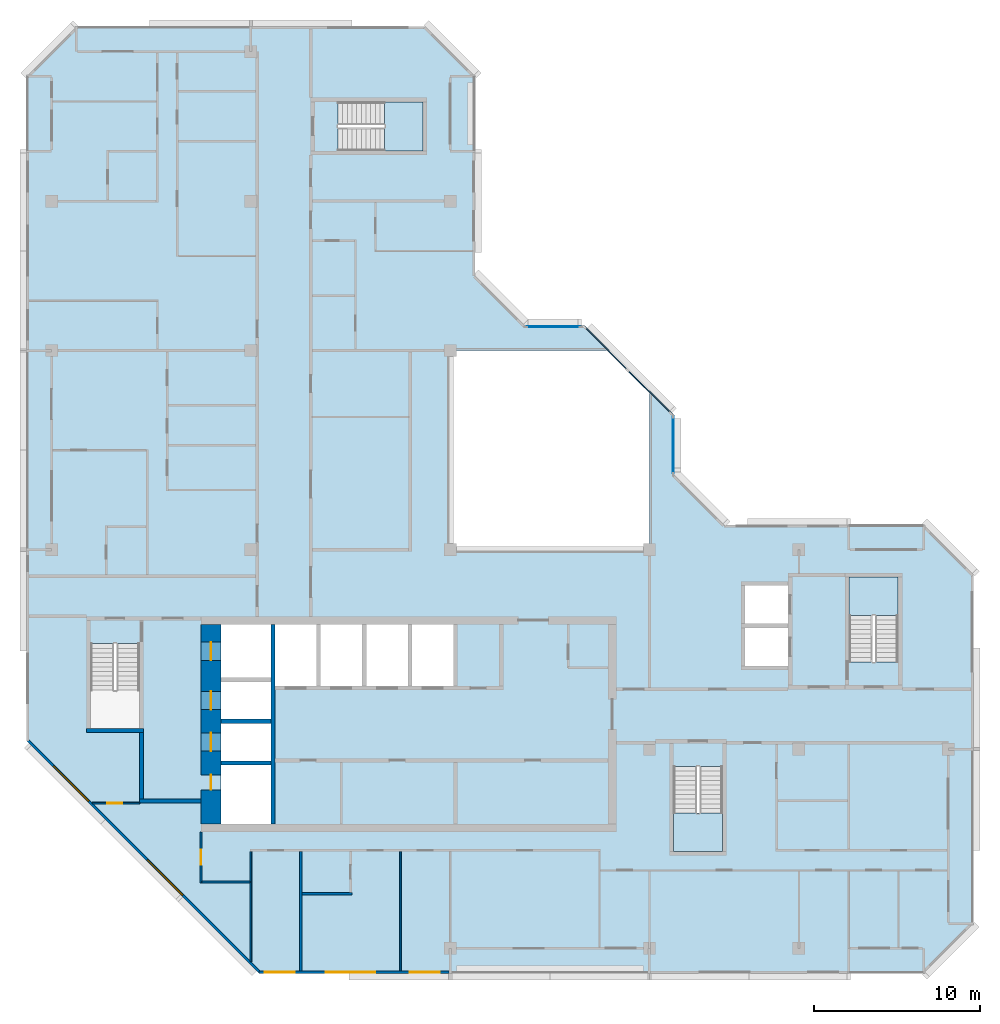
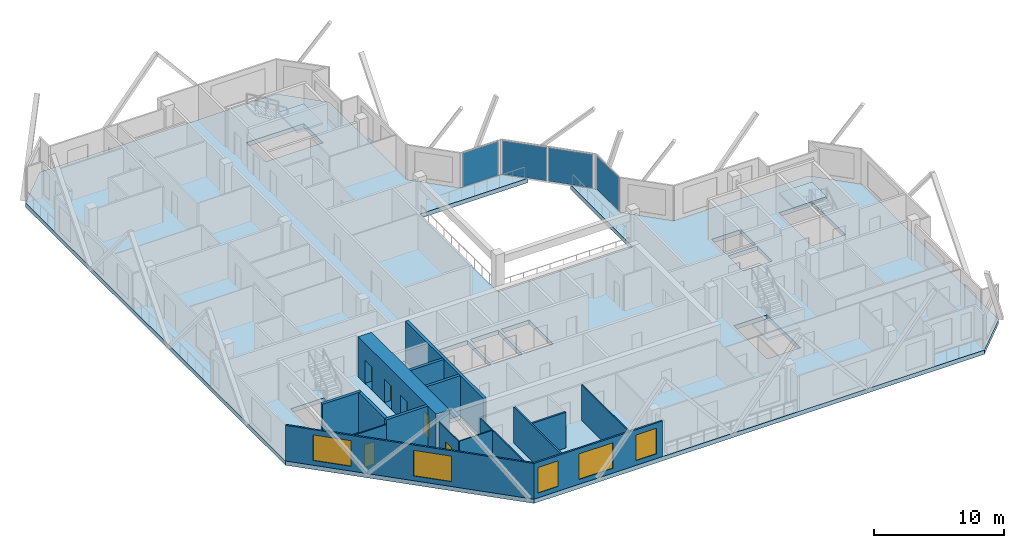
# One storey, part 3 of 12: 16 walls, 6 doors, 5 windows, 4 plates, 4 slabs, 11 openings, 6 elements without a shape of their own.
"""IFC4 building model written with IfcOpenShell, lengths in metres."""

from ifc_helpers import new_model, si_unit, direction, frame, frame_2d, origin, origin_2d, place, context, subcontext, project, spatial, polyline, rectangle, outline, extrude, material, layer, layer_set, type_object, element, fill, aggregate, save


model = new_model("IFC4")

# Units and contexts
model_context = context("Model", 3, precision=1e-05, world=origin(), true_north=direction((0.0, 1.0)))
body_context = subcontext(model_context, "Body", "Model", "MODEL_VIEW")
ifc_project = project(units=[si_unit("LENGTHUNIT", "METRE"), si_unit("AREAUNIT", "SQUARE_METRE"), si_unit("VOLUMEUNIT", "CUBIC_METRE"), si_unit("PLANEANGLEUNIT", "RADIAN"), si_unit("MASSUNIT", "GRAM", prefix="KILO")], contexts=[model_context])

# Site, building, storey
site_placement = place(None, origin())
site = spatial("IfcSite", under=ifc_project, at=site_placement, CompositionType="ELEMENT")
building_placement = place(site_placement, origin())
building = spatial("IfcBuilding", under=site, at=building_placement, Name="Chenar Terraces", CompositionType="ELEMENT")
storey_placement = place(building_placement, frame((0.0, 0.0, 368.89990234375)))
storey = spatial("IfcBuildingStorey", under=building, at=storey_placement, Name="L86", CompositionType="ELEMENT", Elevation=368.89990234375)

# Curtain wall, plate
ifc_material_1 = material(Name="Aluminium framed glazing", Category="aluminium")
ifc_layer_1 = layer(ifc_material_1, 0.14990234375)
ifc_layer_set_1 = layer_set([ifc_layer_1], Name="Aluminium framed glazing")
curtain_wall_type = type_object("IfcCurtainWallType", Name="Atrium upper-zone curtain wall", PredefinedType="NOTDEFINED", material=ifc_layer_set_1)
placement_1 = place(storey_placement, origin())
curtain_wall_1 = element("IfcCurtainWall", 1, at=placement_1, inside=storey, type_object=curtain_wall_type, Name="Atrium upper-zone curtain wall", PredefinedType="NOTDEFINED")
ifc_material_2 = material(Name="Low emissivity laminated glass, solar control coating", Category="glass")
ifc_layer_2 = layer(ifc_material_2, 0.050048828125)
ifc_layer_set_2 = layer_set([ifc_layer_2], Name="Low emissivity laminated glass, solar control coating")
plate_type = type_object("IfcPlateType", Name="Atrium upper-zone glazing panel 50", PredefinedType="CURTAIN_PANEL", material=ifc_layer_set_2)
plate_1_placement = place(storey_placement, frame((37.425048828125, 30.300048828125, 0.10009765625), z_axis=(0.0, 0.0, 1.0), x_axis=(0.0, 1.0, 0.0)))
plate_1 = element("IfcPlate", 2, at=plate_1_placement, type_object=plate_type, Name="CW8-1 panel 1.1", PredefinedType="CURTAIN_PANEL", context=body_context, shape_type="SweptSolid", body=[
    extrude(rectangle(XDim=3.39990234375, YDim=0.050048828125, at=origin_2d()), origin(), (0.0, 0.0, 1.0), 3.14990234375),
])
aggregate(curtain_wall_1, [plate_1])

# Curtain wall, plates
curtain_wall_2 = element("IfcCurtainWall", 3, at=placement_1, inside=storey, type_object=curtain_wall_type, Name="Atrium upper-zone curtain wall", PredefinedType="NOTDEFINED")
plate_2_placement = place(storey_placement, frame((35.97314453125, 33.520751953125, 0.10009765625), z_axis=(0.0, 0.0, 1.0), x_axis=(-0.707106781187, 0.707106781187, 0.0)))
plate_2 = element("IfcPlate", 4, at=plate_2_placement, type_object=plate_type, Name="CW8-2 panel 1.1", PredefinedType="CURTAIN_PANEL", context=body_context, shape_type="SweptSolid", body=[
    extrude(rectangle(XDim=3.568359375, YDim=0.050048828125, at=origin_2d()), origin(), (0.0, 0.0, 1.0), 3.14990234375),
])
plate_3_placement = place(storey_placement, frame((33.379150390625, 36.11474609375, 0.10009765625), z_axis=(0.0, 0.0, 1.0), x_axis=(-0.707106781187, 0.707106781187, 0.0)))
plate_3 = element("IfcPlate", 5, at=plate_3_placement, type_object=plate_type, Name="CW8-2 panel 2.1", PredefinedType="CURTAIN_PANEL", context=body_context, shape_type="SweptSolid", body=[
    extrude(rectangle(XDim=3.568359375, YDim=0.050048828125, at=origin_2d()), origin(), (0.0, 0.0, 1.0), 3.14990234375),
])
aggregate(curtain_wall_2, [plate_2, plate_3])

# Curtain wall, plate
curtain_wall_3 = element("IfcCurtainWall", 6, at=placement_1, inside=storey, type_object=curtain_wall_type, Name="Atrium upper-zone curtain wall", PredefinedType="NOTDEFINED")
plate_4_placement = place(storey_placement, frame((30.199951171875, 37.425048828125, 0.10009765625), z_axis=(0.0, 0.0, 1.0), x_axis=(-1.0, 0.0, 0.0)))
plate_4 = element("IfcPlate", 7, at=plate_4_placement, type_object=plate_type, Name="CW8-3 panel 1.1", PredefinedType="CURTAIN_PANEL", context=body_context, shape_type="SweptSolid", body=[
    extrude(rectangle(XDim=3.199951171875, YDim=0.050048828125, at=origin_2d()), origin(), (0.0, 0.0, 1.0), 3.14990234375),
])
aggregate(curtain_wall_3, [plate_4])

# Stair, slab
ifc_material_3 = material(Name="Reinforced concrete C40/50", Category="concrete")
stair_type = type_object("IfcStairType", Name="Core stair 1400 half-turn", PredefinedType="HALF_TURN_STAIR", material=ifc_material_3)
stair_1 = element("IfcStair", 8, at=placement_1, inside=storey, type_object=stair_type, Name="L86 Stair 2", PredefinedType="HALF_TURN_STAIR")
ifc_material_4 = material(Name="Reinforced concrete C40/50", Category="concrete")
ifc_layer_3 = layer(ifc_material_4, 0.199951171875)
ifc_layer_set_3 = layer_set([ifc_layer_3], Name="Reinforced concrete C40/50")
slab_type_1 = type_object("IfcSlabType", Name="Core stair landing 200", PredefinedType="LANDING", material=ifc_layer_set_3)
placement_2 = place(storey_placement, frame((0.0, 0.0, 1.675048828125)))
slab_1 = element("IfcSlab", 9, at=placement_2, type_object=slab_type_1, Name="ST2 landing 1", PredefinedType="LANDING", context=body_context, shape_type="SweptSolid", body=[
    extrude(outline(polyline([(37.449951171875, 8.14990234375), (37.449951171875, 5.85009765625), (40.39990234375, 5.85009765625), (40.39990234375, 8.14990234375), (37.449951171875, 8.14990234375)])), origin(), (0.0, 0.0, 1.0), 0.199951171875),
])
aggregate(stair_1, [slab_1])

stair_2 = element("IfcStair", 10, at=placement_1, inside=storey, type_object=stair_type, Name="L86 Stair 3", PredefinedType="HALF_TURN_STAIR")
slab_2 = element("IfcSlab", 11, at=placement_2, type_object=slab_type_1, Name="ST3 landing 1", PredefinedType="LANDING", context=body_context, shape_type="SweptSolid", body=[
    extrude(outline(polyline([(50.97509765625, 20.050048828125), (50.97509765625, 22.35009765625), (48.02490234375, 22.35009765625), (48.02490234375, 20.050048828125), (50.97509765625, 20.050048828125)])), origin(), (0.0, 0.0, 1.0), 0.199951171875),
])
aggregate(stair_2, [slab_2])

stair_3 = element("IfcStair", 12, at=placement_1, inside=storey, type_object=stair_type, Name="L86 Stair 4", PredefinedType="HALF_TURN_STAIR")
slab_3 = element("IfcSlab", 13, at=placement_2, type_object=slab_type_1, Name="ST4 landing 1", PredefinedType="LANDING", context=body_context, shape_type="SweptSolid", body=[
    extrude(outline(polyline([(20.050048828125, 48.02490234375), (22.35009765625, 48.02490234375), (22.35009765625, 50.97509765625), (20.050048828125, 50.97509765625), (20.050048828125, 48.02490234375)])), origin(), (0.0, 0.0, 1.0), 0.199951171875),
])
aggregate(stair_3, [slab_3])

# Slab
ifc_material_5 = material(Name="Concrete C40/50", Category="concrete")
ifc_layer_4 = layer(ifc_material_5, 0.39990234375)
ifc_layer_set_4 = layer_set([ifc_layer_4], Name="Concrete C40/50")
slab_type_2 = type_object("IfcSlabType", Name="Floor slab 400 Concrete C40/50", PredefinedType="FLOOR", material=ifc_layer_set_4)
slab_4_placement = place(storey_placement, frame((0.0, 0.0, -0.39990234375)))
element("IfcSlab", 14, at=slab_4_placement, inside=storey, type_object=slab_type_2, Name="Floor slab L86", PredefinedType="FLOOR", context=body_context, shape_type="SweptSolid", body=[
    extrude(outline(polyline([(55.5, 22.5), (55.5, 1.5), (52.5, -1.5), (12.5, -1.5), (-1.5, 12.5), (-1.5, 52.5), (1.5, 55.5), (22.5, 55.5), (25.5, 52.5), (25.5, 40.5), (28.5, 37.5), (32.10009765625, 37.5), (33.60009765625, 36.0), (24.0, 36.0), (24.0, 24.0), (36.0, 24.0), (36.0, 33.60009765625), (37.5, 32.10009765625), (37.5, 28.5), (40.5, 25.5), (52.5, 25.5), (55.5, 22.5)]), holes=[polyline([(10.199951171875, 11.050048828125), (10.199951171875, 7.5), (13.199951171875, 7.5), (13.199951171875, 11.050048828125), (10.199951171875, 11.050048828125)]), polyline([(13.199951171875, 13.550048828125), (10.199951171875, 13.550048828125), (10.199951171875, 11.300048828125), (13.199951171875, 11.300048828125), (13.199951171875, 13.550048828125)]), polyline([(13.199951171875, 16.050048828125), (10.199951171875, 16.050048828125), (10.199951171875, 13.800048828125), (13.199951171875, 13.800048828125), (13.199951171875, 16.050048828125)]), polyline([(2.35009765625, 13.25), (5.300048828125, 13.25), (5.300048828125, 18.35009765625), (2.35009765625, 18.35009765625), (2.35009765625, 13.25)]), polyline([(15.949951171875, 19.5), (13.449951171875, 19.5), (13.449951171875, 15.800048828125), (15.949951171875, 15.800048828125), (15.949951171875, 19.5)]), polyline([(18.699951171875, 19.5), (16.199951171875, 19.5), (16.199951171875, 15.800048828125), (18.699951171875, 15.800048828125), (18.699951171875, 19.5)]), polyline([(13.199951171875, 19.5), (10.199951171875, 19.5), (10.199951171875, 16.300048828125), (13.199951171875, 16.300048828125), (13.199951171875, 19.5)]), polyline([(22.35009765625, 48.02490234375), (22.35009765625, 50.97509765625), (17.25, 50.97509765625), (17.25, 48.02490234375), (22.35009765625, 48.02490234375)]), polyline([(37.449951171875, 5.85009765625), (40.39990234375, 5.85009765625), (40.39990234375, 10.949951171875), (37.449951171875, 10.949951171875), (37.449951171875, 5.85009765625)]), polyline([(21.449951171875, 19.5), (18.949951171875, 19.5), (18.949951171875, 15.800048828125), (21.449951171875, 15.800048828125), (21.449951171875, 19.5)]), polyline([(24.199951171875, 19.5), (21.699951171875, 19.5), (21.699951171875, 15.800048828125), (24.199951171875, 15.800048828125), (24.199951171875, 19.5)]), polyline([(44.35009765625, 19.300048828125), (41.75, 19.300048828125), (41.75, 17.0), (44.35009765625, 17.0), (44.35009765625, 19.300048828125)]), polyline([(50.97509765625, 22.35009765625), (48.02490234375, 22.35009765625), (48.02490234375, 17.25), (50.97509765625, 17.25), (50.97509765625, 22.35009765625)]), polyline([(44.35009765625, 21.85009765625), (41.75, 21.85009765625), (41.75, 19.550048828125), (44.35009765625, 19.550048828125), (44.35009765625, 21.85009765625)])]), origin(), (0.0, 0.0, 1.0), 0.39990234375),
])

# Wall, openings, doors
ifc_material_6 = material(Name="Concrete C50/60", Category="concrete")
ifc_layer_5 = layer(ifc_material_6, 1.199951171875)
ifc_layer_set_5 = layer_set([ifc_layer_5], Name="Concrete C50/60")
wall_type_1 = type_object("IfcWallType", Name="Core wall 1200 Concrete C50/60", PredefinedType="SHEAR", material=ifc_layer_set_5)
wall_1_placement = place(storey_placement, frame((9.60009765625, 7.5, 0.0), z_axis=(0.0, 0.0, 1.0), x_axis=(0.0, 1.0, 0.0)))
wall_1 = element("IfcWall", 15, at=wall_1_placement, inside=storey, type_object=wall_type_1, Name="Core wall W L86", PredefinedType="SHEAR", context=body_context, shape_type="SweptSolid", body=[
    extrude(rectangle(XDim=12.0, YDim=1.199951171875, at=frame_2d((6.0, 0.0))), origin(), (0.0, 0.0, 1.0), 3.75),
])
opening_1_placement = place(wall_1_placement, frame((4.375, 0.0, 0.0)))
opening_1 = element("IfcOpeningElement", 16, at=opening_1_placement, cuts=wall_1, Name="Opening DL86-LD5", PredefinedType="OPENING", context=body_context, shape_type="SweptSolid", body=[
    extrude(rectangle(XDim=1.10009765625, YDim=2.199951171875, at=frame_2d((0.550048828125, 1.10009765625))), frame((0.0, 0.60986328125, 0.0), z_axis=(0.0, -1.0, 0.0), x_axis=(1.0, 0.0, 0.0)), (0.0, 0.0, 1.0), 1.219970703125),
])
opening_2_placement = place(wall_1_placement, frame((6.875, 0.0, 0.0)))
opening_2 = element("IfcOpeningElement", 17, at=opening_2_placement, cuts=wall_1, Name="Opening DL86-LD6", PredefinedType="OPENING", context=body_context, shape_type="SweptSolid", body=[
    extrude(rectangle(XDim=1.10009765625, YDim=2.199951171875, at=frame_2d((0.550048828125, 1.10009765625))), frame((0.0, 0.60986328125, 0.0), z_axis=(0.0, -1.0, 0.0), x_axis=(1.0, 0.0, 0.0)), (0.0, 0.0, 1.0), 1.219970703125),
])
opening_3_placement = place(wall_1_placement, frame((9.85009765625, 0.0, 0.0)))
opening_3 = element("IfcOpeningElement", 18, at=opening_3_placement, cuts=wall_1, Name="Opening DL86-LD7", PredefinedType="OPENING", context=body_context, shape_type="SweptSolid", body=[
    extrude(rectangle(XDim=1.10009765625, YDim=2.199951171875, at=frame_2d((0.550048828125, 1.10009765625))), frame((0.0, 0.60986328125, 0.0), z_axis=(0.0, -1.0, 0.0), x_axis=(1.0, 0.0, 0.0)), (0.0, 0.0, 1.0), 1.219970703125),
])
opening_4_placement = place(wall_1_placement, frame((2.050048828125, 0.0, 0.0)))
opening_4 = element("IfcOpeningElement", 19, at=opening_4_placement, cuts=wall_1, Name="Opening DL86-C4", PredefinedType="OPENING", context=body_context, shape_type="SweptSolid", body=[
    extrude(rectangle(XDim=0.89990234375, YDim=2.10009765625, at=frame_2d((0.449951171875, 1.050048828125))), frame((0.0, 0.60986328125, 0.0), z_axis=(0.0, -1.0, 0.0), x_axis=(1.0, 0.0, 0.0)), (0.0, 0.0, 1.0), 1.219970703125),
])
ifc_material_7 = material(Name="Stainless steel", Category="steel")
door_type_1 = type_object("IfcDoorType", Name="Lift landing door 1100 x 2200 sliding", OperationType="DOUBLE_DOOR_SLIDING", PredefinedType="DOOR", material=ifc_material_7)
door_1_placement = place(opening_1_placement, origin())
door_1 = element("IfcDoor", 20, at=door_1_placement, inside=storey, type_object=door_type_1, Name="Landing door S1", OperationType="DOUBLE_DOOR_SLIDING", OverallHeight=2.199951171875, OverallWidth=1.10009765625, PredefinedType="DOOR", context=body_context, shape_type="SweptSolid", body=[
    extrude(rectangle(XDim=1.10009765625, YDim=2.199951171875, at=frame_2d((0.550048828125, 1.10009765625))), frame((0.0, 0.02490234375, 0.0), z_axis=(0.0, -1.0, 0.0), x_axis=(1.0, 0.0, 0.0)), (0.0, 0.0, 1.0), 0.050048828125),
])
fill(opening_1, door_1)
door_2_placement = place(opening_2_placement, origin())
door_2 = element("IfcDoor", 21, at=door_2_placement, inside=storey, type_object=door_type_1, Name="Landing door F1", OperationType="DOUBLE_DOOR_SLIDING", OverallHeight=2.199951171875, OverallWidth=1.10009765625, PredefinedType="DOOR", context=body_context, shape_type="SweptSolid", body=[
    extrude(rectangle(XDim=1.10009765625, YDim=2.199951171875, at=frame_2d((0.550048828125, 1.10009765625))), frame((0.0, 0.02490234375, 0.0), z_axis=(0.0, -1.0, 0.0), x_axis=(1.0, 0.0, 0.0)), (0.0, 0.0, 1.0), 0.050048828125),
])
fill(opening_2, door_2)
door_3_placement = place(opening_3_placement, origin())
door_3 = element("IfcDoor", 22, at=door_3_placement, inside=storey, type_object=door_type_1, Name="Landing door F2", OperationType="DOUBLE_DOOR_SLIDING", OverallHeight=2.199951171875, OverallWidth=1.10009765625, PredefinedType="DOOR", context=body_context, shape_type="SweptSolid", body=[
    extrude(rectangle(XDim=1.10009765625, YDim=2.199951171875, at=frame_2d((0.550048828125, 1.10009765625))), frame((0.0, 0.02490234375, 0.0), z_axis=(0.0, -1.0, 0.0), x_axis=(1.0, 0.0, 0.0)), (0.0, 0.0, 1.0), 0.050048828125),
])
fill(opening_3, door_3)
ifc_material_8 = material(Name="Steel-framed fire-resisting door leaf", Category="steel")
door_type_2 = type_object("IfcDoorType", Name="Riser fire door FD60 900 x 2100", OperationType="SINGLE_SWING_LEFT", PredefinedType="DOOR", material=ifc_material_8)
door_4_placement = place(opening_4_placement, frame((0.89990234375, 0.0, 0.0), z_axis=(0.0, 0.0, 1.0), x_axis=(-1.0, 0.0, 0.0)))
door_4 = element("IfcDoor", 23, at=door_4_placement, inside=storey, type_object=door_type_2, Name="Riser door DL86-C4", OperationType="SINGLE_SWING_LEFT", OverallHeight=2.10009765625, OverallWidth=0.89990234375, PredefinedType="DOOR", context=body_context, shape_type="SweptSolid", body=[
    extrude(rectangle(XDim=0.89990234375, YDim=2.10009765625, at=frame_2d((0.449951171875, 1.050048828125))), frame((0.0, 0.02490234375, 0.0), z_axis=(0.0, -1.0, 0.0), x_axis=(1.0, 0.0, 0.0)), (0.0, 0.0, 1.0), 0.050048828125),
])
fill(opening_4, door_4)

# Walls
ifc_material_9 = material(Name="Concrete C50/60", Category="concrete")
ifc_layer_6 = layer(ifc_material_9, 0.25)
ifc_layer_set_6 = layer_set([ifc_layer_6], Name="Concrete C50/60")
wall_type_2 = type_object("IfcWallType", Name="Core wall 250 Concrete C50/60", PredefinedType="SHEAR", material=ifc_layer_set_6)
wall_2_placement = place(storey_placement, frame((13.324951171875, 7.5, 0.0), z_axis=(0.0, 0.0, 1.0), x_axis=(0.0, 1.0, 0.0)))
element("IfcWall", 24, at=wall_2_placement, inside=storey, type_object=wall_type_2, Name="Core wall WI L86", PredefinedType="SHEAR", context=body_context, shape_type="SweptSolid", body=[
    extrude(rectangle(XDim=12.0, YDim=0.25, at=frame_2d((6.0, 0.0))), origin(), (0.0, 0.0, 1.0), 3.75),
])
for number, where, z_axis, x_axis, name in (
    (25, (10.199951171875, 11.175048828125, 0.0), (0.0, 0.0, 1.0), (1.0, 0.0, 0.0), "Core wall HW0 L86"),
    (26, (10.199951171875, 13.675048828125, 0.0), (0.0, 0.0, 1.0), (1.0, 0.0, 0.0), "Core wall HW1 L86"),
):
    element("IfcWall", number, at=place(storey_placement, frame(where, z_axis=z_axis, x_axis=x_axis)), inside=storey, type_object=wall_type_2, Name=name, PredefinedType="SHEAR", context=body_context, shape_type="SweptSolid", body=[
        extrude(rectangle(XDim=3.0, YDim=0.25, at=frame_2d((1.5, 0.0))), origin(), (0.0, 0.0, 1.0), 3.75),
    ])
wall_3_placement = place(storey_placement, frame((2.10009765625, 13.125, 0.0), z_axis=(0.0, 0.0, 1.0), x_axis=(1.0, 0.0, 0.0)))
element("IfcWall", 27, at=wall_3_placement, inside=storey, type_object=wall_type_2, Name="Core wall ST1_S L86", PredefinedType="SHEAR", context=body_context, shape_type="SweptSolid", body=[
    extrude(rectangle(XDim=3.449951171875, YDim=0.25, at=frame_2d((1.72509765625, 0.0))), origin(), (0.0, 0.0, 1.0), 3.75),
])
wall_4_placement = place(storey_placement, frame((5.300048828125, 8.875, 0.0), z_axis=(0.0, 0.0, 1.0), x_axis=(1.0, 0.0, 0.0)))
element("IfcWall", 28, at=wall_4_placement, inside=storey, type_object=wall_type_2, Name="Core wall FFL_S L86", PredefinedType="SHEAR", context=body_context, shape_type="SweptSolid", body=[
    extrude(rectangle(XDim=3.699951171875, YDim=0.25, at=frame_2d((1.85009765625, 0.0))), origin(), (0.0, 0.0, 1.0), 3.75),
])
wall_5_placement = place(storey_placement, frame((5.425048828125, 9.0, 0.0), z_axis=(0.0, 0.0, 1.0), x_axis=(0.0, 1.0, 0.0)))
element("IfcWall", 29, at=wall_5_placement, inside=storey, type_object=wall_type_2, Name="Core wall FFL_W L86", PredefinedType="SHEAR", context=body_context, shape_type="SweptSolid", body=[
    extrude(rectangle(XDim=4.0, YDim=0.25, at=frame_2d((2.0, 0.0))), origin(), (0.0, 0.0, 1.0), 3.75),
])

# Wall, openings, windows
ifc_material_10 = material(Name="Aluminium framed glazing", Category="aluminium")
ifc_layer_7 = layer(ifc_material_10, 0.14990234375)
ifc_layer_set_7 = layer_set([ifc_layer_7], Name="Aluminium framed glazing")
wall_type_3 = type_object("IfcWallType", Name="Glazed flush facade wall 150", PredefinedType="SOLIDWALL", material=ifc_layer_set_7)
wall_6_placement = place(storey_placement, frame((12.5, -1.425048828125, 0.0), z_axis=(0.0, 0.0, 1.0), x_axis=(1.0, 0.0, 0.0)))
wall_6 = element("IfcWall", 30, at=wall_6_placement, inside=storey, type_object=wall_type_3, Name="Glazed flush facade wall", PredefinedType="SOLIDWALL", context=body_context, shape_type="SweptSolid", body=[
    extrude(rectangle(XDim=11.425048828125, YDim=0.14990234375, at=frame_2d((5.71240234375, 0.0))), origin(), (0.0, 0.0, 1.0), 3.35009765625),
])
opening_5_placement = place(wall_6_placement, frame((0.35009765625, 0.0, 0.449951171875)))
opening_5 = element("IfcOpeningElement", 31, at=opening_5_placement, cuts=wall_6, Name="Opening W180x240", PredefinedType="OPENING", context=body_context, shape_type="SweptSolid", body=[
    extrude(rectangle(XDim=1.800048828125, YDim=2.39990234375, at=frame_2d((0.89990234375, 1.199951171875))), frame((0.0, 0.0849609375, 0.0), z_axis=(0.0, -1.0, 0.0), x_axis=(1.0, 0.0, 0.0)), (0.0, 0.0, 1.0), 0.169921875),
])
opening_6_placement = place(wall_6_placement, frame((4.0, 0.0, 0.449951171875)))
opening_6 = element("IfcOpeningElement", 32, at=opening_6_placement, cuts=wall_6, Name="Opening W300x240", PredefinedType="OPENING", context=body_context, shape_type="SweptSolid", body=[
    extrude(rectangle(XDim=3.0, YDim=2.39990234375, at=frame_2d((1.5, 1.199951171875))), frame((0.0, 0.0849609375, 0.0), z_axis=(0.0, -1.0, 0.0), x_axis=(1.0, 0.0, 0.0)), (0.0, 0.0, 1.0), 0.169921875),
])
opening_7_placement = place(wall_6_placement, frame((9.0625, 0.0, 0.449951171875)))
opening_7 = element("IfcOpeningElement", 33, at=opening_7_placement, cuts=wall_6, Name="Opening W180x240", PredefinedType="OPENING", context=body_context, shape_type="SweptSolid", body=[
    extrude(rectangle(XDim=1.800048828125, YDim=2.39990234375, at=frame_2d((0.89990234375, 1.199951171875))), frame((0.0, 0.0849609375, 0.0), z_axis=(0.0, -1.0, 0.0), x_axis=(1.0, 0.0, 0.0)), (0.0, 0.0, 1.0), 0.169921875),
])
ifc_material_11 = material(Name="Low emissivity double glazing, aluminium frame", Category="aluminium")
window_type_1 = type_object("IfcWindowType", Name="Fixed light 1800 x 2400", PartitioningType="SINGLE_PANEL", PredefinedType="WINDOW", material=ifc_material_11)
window_1_placement = place(opening_5_placement, origin())
window_1 = element("IfcWindow", 34, at=window_1_placement, inside=storey, type_object=window_type_1, Name="Window", OverallHeight=2.39990234375, OverallWidth=1.800048828125, PartitioningType="SINGLE_PANEL", PredefinedType="WINDOW", context=body_context, shape_type="SweptSolid", body=[
    extrude(rectangle(XDim=1.800048828125, YDim=2.39990234375, at=frame_2d((0.89990234375, 1.199951171875))), frame((0.0, 0.030029296875, 0.0), z_axis=(0.0, -1.0, 0.0), x_axis=(1.0, 0.0, 0.0)), (0.0, 0.0, 1.0), 0.06005859375),
])
fill(opening_5, window_1)
window_2_placement = place(opening_7_placement, origin())
window_2 = element("IfcWindow", 35, at=window_2_placement, inside=storey, type_object=window_type_1, Name="Window", OverallHeight=2.39990234375, OverallWidth=1.800048828125, PartitioningType="SINGLE_PANEL", PredefinedType="WINDOW", context=body_context, shape_type="SweptSolid", body=[
    extrude(rectangle(XDim=1.800048828125, YDim=2.39990234375, at=frame_2d((0.89990234375, 1.199951171875))), frame((0.0, 0.030029296875, 0.0), z_axis=(0.0, -1.0, 0.0), x_axis=(1.0, 0.0, 0.0)), (0.0, 0.0, 1.0), 0.06005859375),
])
fill(opening_7, window_2)
ifc_material_12 = material(Name="Low emissivity double glazing, aluminium frame", Category="aluminium")
window_type_2 = type_object("IfcWindowType", Name="Fixed light 3000 x 2400", PartitioningType="SINGLE_PANEL", PredefinedType="WINDOW", material=ifc_material_12)
window_3_placement = place(opening_6_placement, origin())
window_3 = element("IfcWindow", 36, at=window_3_placement, inside=storey, type_object=window_type_2, Name="Window", OverallHeight=2.39990234375, OverallWidth=3.0, PartitioningType="SINGLE_PANEL", PredefinedType="WINDOW", context=body_context, shape_type="SweptSolid", body=[
    extrude(rectangle(XDim=3.0, YDim=2.39990234375, at=frame_2d((1.5, 1.199951171875))), frame((0.0, 0.030029296875, 0.0), z_axis=(0.0, -1.0, 0.0), x_axis=(1.0, 0.0, 0.0)), (0.0, 0.0, 1.0), 0.06005859375),
])
fill(opening_6, window_3)

# Wall, opening, door
ifc_material_13 = material(Name="Gypsum board on steel studs", Category="steel")
ifc_layer_8 = layer(ifc_material_13, 0.10009765625)
ifc_layer_set_8 = layer_set([ifc_layer_8], Name="Gypsum board on steel studs")
wall_type_4 = type_object("IfcWallType", Name="Gypsum partition 100", PredefinedType="PARTITIONING", material=ifc_layer_set_8)
wall_7_placement = place(storey_placement, frame((2.4609375, 8.75, 0.0), z_axis=(0.0, 0.0, 1.0), x_axis=(1.0, 0.0, 0.0)))
wall_7 = element("IfcWall", 37, at=wall_7_placement, inside=storey, type_object=wall_type_4, Name="Partition L86-008", PredefinedType="PARTITIONING", context=body_context, shape_type="SweptSolid", body=[
    extrude(rectangle(XDim=2.839111328125, YDim=0.10009765625, at=frame_2d((1.41943359375, 0.0))), origin(), (0.0, 0.0, 1.0), 3.35009765625),
])
opening_8_placement = place(wall_7_placement, frame((0.888916015625, 0.0, 0.0)))
opening_8 = element("IfcOpeningElement", 38, at=opening_8_placement, cuts=wall_7, Name="Opening DL86-29", PredefinedType="OPENING", context=body_context, shape_type="SweptSolid", body=[
    extrude(rectangle(XDim=0.89990234375, YDim=2.10009765625, at=frame_2d((0.449951171875, 1.050048828125))), frame((0.0, 0.06005859375, 0.0), z_axis=(0.0, -1.0, 0.0), x_axis=(1.0, 0.0, 0.0)), (0.0, 0.0, 1.0), 0.1201171875),
])
ifc_material_14 = material(Name="Veneered timber door leaf", Category="wood")
door_type_3 = type_object("IfcDoorType", Name="Door 900 x 2100", OperationType="SINGLE_SWING_LEFT", PredefinedType="DOOR", material=ifc_material_14)
door_5_placement = place(opening_8_placement, frame((0.89990234375, 0.0, 0.0), z_axis=(0.0, 0.0, 1.0), x_axis=(-1.0, 0.0, 0.0)))
door_5 = element("IfcDoor", 39, at=door_5_placement, inside=storey, type_object=door_type_3, Name="Door DL86-29", OperationType="SINGLE_SWING_RIGHT", OverallHeight=2.10009765625, OverallWidth=0.89990234375, PredefinedType="DOOR", context=body_context, shape_type="SweptSolid", body=[
    extrude(rectangle(XDim=0.89990234375, YDim=2.10009765625, at=frame_2d((0.449951171875, 1.050048828125))), frame((0.0, 0.02490234375, 0.0), z_axis=(0.0, -1.0, 0.0), x_axis=(1.0, 0.0, 0.0)), (0.0, 0.0, 1.0), 0.050048828125),
])
fill(opening_8, door_5)

wall_8_placement = place(storey_placement, frame((9.0, 3.949951171875, 0.0), z_axis=(0.0, 0.0, 1.0), x_axis=(0.0, 1.0, 0.0)))
wall_8 = element("IfcWall", 40, at=wall_8_placement, inside=storey, type_object=wall_type_4, Name="Partition L86-024", PredefinedType="PARTITIONING", context=body_context, shape_type="SweptSolid", body=[
    extrude(rectangle(XDim=3.050048828125, YDim=0.10009765625, at=frame_2d((1.52490234375, 0.0))), origin(), (0.0, 0.0, 1.0), 3.35009765625),
])
opening_9_placement = place(wall_8_placement, frame((1.10009765625, 0.0, 0.0)))
opening_9 = element("IfcOpeningElement", 41, at=opening_9_placement, cuts=wall_8, Name="Opening DL86-28", PredefinedType="OPENING", context=body_context, shape_type="SweptSolid", body=[
    extrude(rectangle(XDim=0.89990234375, YDim=2.10009765625, at=frame_2d((0.449951171875, 1.050048828125))), frame((0.0, 0.06005859375, 0.0), z_axis=(0.0, -1.0, 0.0), x_axis=(1.0, 0.0, 0.0)), (0.0, 0.0, 1.0), 0.1201171875),
])
door_6_placement = place(opening_9_placement, origin())
door_6 = element("IfcDoor", 42, at=door_6_placement, inside=storey, type_object=door_type_3, Name="Door DL86-28", OperationType="SINGLE_SWING_LEFT", OverallHeight=2.10009765625, OverallWidth=0.89990234375, PredefinedType="DOOR", context=body_context, shape_type="SweptSolid", body=[
    extrude(rectangle(XDim=0.89990234375, YDim=2.10009765625, at=frame_2d((0.449951171875, 1.050048828125))), frame((0.0, 0.02490234375, 0.0), z_axis=(0.0, -1.0, 0.0), x_axis=(1.0, 0.0, 0.0)), (0.0, 0.0, 1.0), 0.050048828125),
])
fill(opening_9, door_6)

# Walls
wall_9_placement = place(storey_placement, frame((9.050048828125, 4.0, 0.0), z_axis=(0.0, 0.0, 1.0), x_axis=(1.0, 0.0, 0.0)))
element("IfcWall", 43, at=wall_9_placement, inside=storey, type_object=wall_type_4, Name="Partition L86-025", PredefinedType="PARTITIONING", context=body_context, shape_type="SweptSolid", body=[
    extrude(rectangle(XDim=2.89990234375, YDim=0.10009765625, at=frame_2d((1.449951171875, 0.0))), origin(), (0.0, 0.0, 1.0), 3.35009765625),
])
wall_10_placement = place(storey_placement, frame((12.0, -0.787841796875, 0.0), z_axis=(0.0, 0.0, 1.0), x_axis=(0.0, 1.0, 0.0)))
element("IfcWall", 44, at=wall_10_placement, inside=storey, type_object=wall_type_4, Name="Partition L86-027", PredefinedType="PARTITIONING", context=body_context, shape_type="SweptSolid", body=[
    extrude(rectangle(XDim=6.61279296875, YDim=0.10009765625, at=frame_2d((3.306396484375, 0.0))), origin(), (0.0, 0.0, 1.0), 3.35009765625),
])
wall_11_placement = place(storey_placement, frame((21.0, -1.35107421875, 0.0), z_axis=(0.0, 0.0, 1.0), x_axis=(0.0, 1.0, 0.0)))
element("IfcWall", 45, at=wall_11_placement, inside=storey, type_object=wall_type_4, Name="Partition L86-043", PredefinedType="PARTITIONING", context=body_context, shape_type="SweptSolid", body=[
    extrude(rectangle(XDim=7.176025390625, YDim=0.10009765625, at=frame_2d((3.587890625, 0.0))), origin(), (0.0, 0.0, 1.0), 3.35009765625),
])

# Wall, openings, windows
ifc_material_15 = material(Name="Terracotta cladding on insulated backing", Category="masonry")
ifc_layer_9 = layer(ifc_material_15, 0.14990234375)
ifc_layer_set_9 = layer_set([ifc_layer_9], Name="Terracotta cladding on insulated backing")
wall_type_5 = type_object("IfcWallType", Name="Terracotta rainscreen wall 150", PredefinedType="SOLIDWALL", material=ifc_layer_set_9)
wall_12_placement = place(storey_placement, frame((-1.447021484375, 12.552978515625, 0.0), z_axis=(0.0, 0.0, 1.0), x_axis=(0.707106781187, -0.707106781187, 0.0)))
wall_12 = element("IfcWall", 46, at=wall_12_placement, inside=storey, type_object=wall_type_5, Name="Terracotta rainscreen wall", PredefinedType="SOLIDWALL", context=body_context, shape_type="SweptSolid", body=[
    extrude(rectangle(XDim=19.799072265625, YDim=0.14990234375, at=frame_2d((9.8994140625, 0.0))), origin(), (0.0, 0.0, 1.0), 3.35009765625),
])
opening_10_placement = place(wall_12_placement, frame((2.21240234375, 0.0, 0.449951171875)))
opening_10 = element("IfcOpeningElement", 47, at=opening_10_placement, cuts=wall_12, Name="Opening W300x240", PredefinedType="OPENING", context=body_context, shape_type="SweptSolid", body=[
    extrude(rectangle(XDim=3.0, YDim=2.39990234375, at=frame_2d((1.5, 1.199951171875))), frame((0.0, 0.0849609375, 0.0), z_axis=(0.0, -1.0, 0.0), x_axis=(1.0, 0.0, 0.0)), (0.0, 0.0, 1.0), 0.169921875),
])
opening_11_placement = place(wall_12_placement, frame((10.215576171875, 0.0, 0.449951171875)))
opening_11 = element("IfcOpeningElement", 48, at=opening_11_placement, cuts=wall_12, Name="Opening W300x240", PredefinedType="OPENING", context=body_context, shape_type="SweptSolid", body=[
    extrude(rectangle(XDim=3.0, YDim=2.39990234375, at=frame_2d((1.5, 1.199951171875))), frame((0.0, 0.0849609375, 0.0), z_axis=(0.0, -1.0, 0.0), x_axis=(1.0, 0.0, 0.0)), (0.0, 0.0, 1.0), 0.169921875),
])
window_4_placement = place(opening_10_placement, origin())
window_4 = element("IfcWindow", 49, at=window_4_placement, inside=storey, type_object=window_type_2, Name="Window", OverallHeight=2.39990234375, OverallWidth=3.0, PartitioningType="SINGLE_PANEL", PredefinedType="WINDOW", context=body_context, shape_type="SweptSolid", body=[
    extrude(rectangle(XDim=3.0, YDim=2.39990234375, at=frame_2d((1.5, 1.199951171875))), frame((0.0, 0.030029296875, 0.0), z_axis=(0.0, -1.0, 0.0), x_axis=(1.0, 0.0, 0.0)), (0.0, 0.0, 1.0), 0.06005859375),
])
fill(opening_10, window_4)
window_5_placement = place(opening_11_placement, origin())
window_5 = element("IfcWindow", 50, at=window_5_placement, inside=storey, type_object=window_type_2, Name="Window", OverallHeight=2.39990234375, OverallWidth=3.0, PartitioningType="SINGLE_PANEL", PredefinedType="WINDOW", context=body_context, shape_type="SweptSolid", body=[
    extrude(rectangle(XDim=3.0, YDim=2.39990234375, at=frame_2d((1.5, 1.199951171875))), frame((0.0, 0.030029296875, 0.0), z_axis=(0.0, -1.0, 0.0), x_axis=(1.0, 0.0, 0.0)), (0.0, 0.0, 1.0), 0.06005859375),
])
fill(opening_11, window_5)

# Walls
ifc_material_16 = material(Name="Moisture-resistant gypsum board on steel studs", Category="steel")
ifc_layer_10 = layer(ifc_material_16, 0.14990234375)
ifc_layer_set_10 = layer_set([ifc_layer_10], Name="Moisture-resistant gypsum board on steel studs")
wall_type_6 = type_object("IfcWallType", Name="Wet-room partition 150", PredefinedType="PARTITIONING", material=ifc_layer_set_10)
wall_13_placement = place(storey_placement, frame((15.0, -1.35107421875, 0.0), z_axis=(0.0, 0.0, 1.0), x_axis=(0.0, 1.0, 0.0)))
element("IfcWall", 51, at=wall_13_placement, inside=storey, type_object=wall_type_6, Name="Partition L86-029", PredefinedType="PARTITIONING", context=body_context, shape_type="SweptSolid", body=[
    extrude(rectangle(XDim=7.176025390625, YDim=0.14990234375, at=frame_2d((3.587890625, 0.0))), origin(), (0.0, 0.0, 1.0), 3.35009765625),
])
wall_14_placement = place(storey_placement, frame((15.074951171875, 3.300048828125, 0.0), z_axis=(0.0, 0.0, 1.0), x_axis=(1.0, 0.0, 0.0)))
element("IfcWall", 52, at=wall_14_placement, inside=storey, type_object=wall_type_6, Name="Partition L86-030", PredefinedType="PARTITIONING", context=body_context, shape_type="SweptSolid", body=[
    extrude(rectangle(XDim=3.0, YDim=0.14990234375, at=frame_2d((1.5, 0.0))), origin(), (0.0, 0.0, 1.0), 3.35009765625),
])

save(model, "model.ifc")
